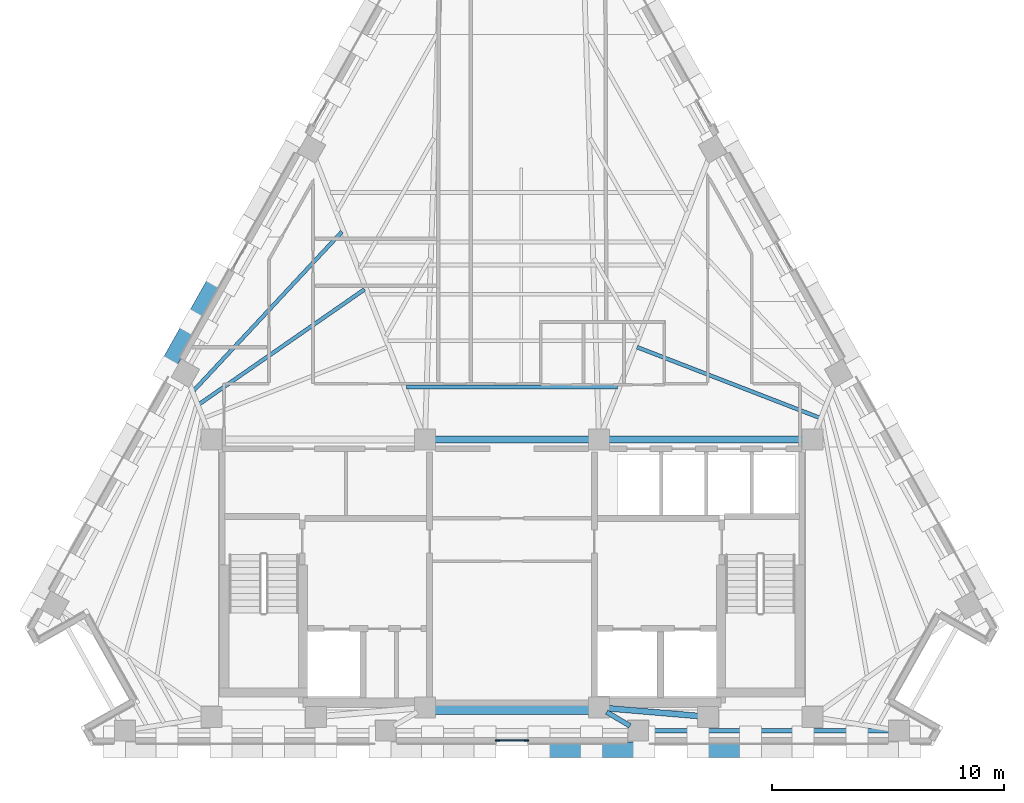
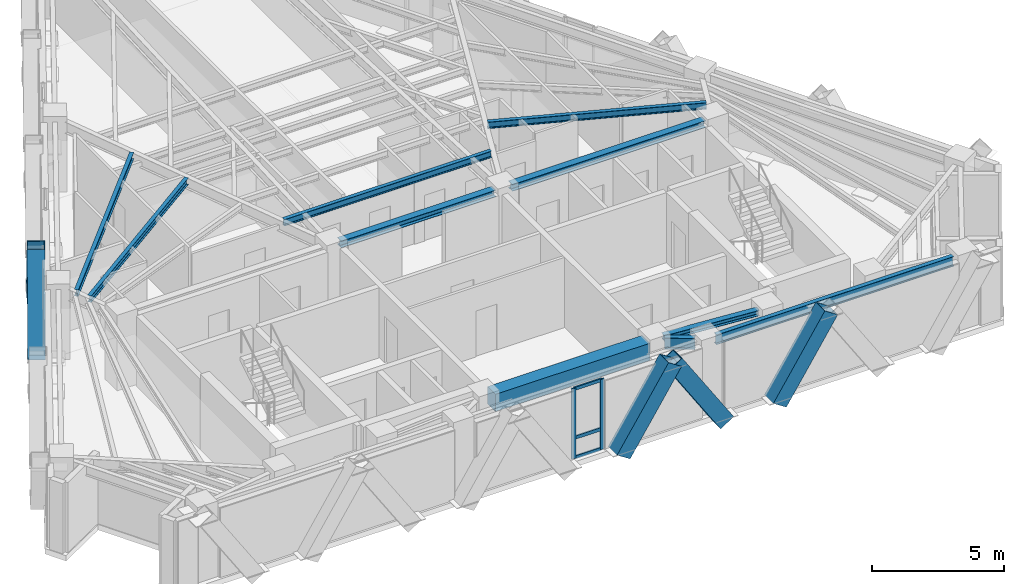
# One storey, part 2 of 12: 10 beams, 10 members, 1 element without a shape of its own.
"""IFC4 building model written with IfcOpenShell, lengths in metres."""

from ifc_helpers import new_model, si_unit, direction, frame, origin, origin_2d, place, context, subcontext, project, spatial, rectangle, hollow_rectangle, i_section, extrude, material, material_profile, profile_set, type_object, element, aggregate, save


model = new_model("IFC4")

# Units and contexts
model_context = context("Model", 3, precision=1e-05, world=origin(), true_north=direction((0.0, 1.0)))
body_context = subcontext(model_context, "Body", "Model", "MODEL_VIEW")
ifc_project = project(units=[si_unit("LENGTHUNIT", "METRE"), si_unit("AREAUNIT", "SQUARE_METRE"), si_unit("VOLUMEUNIT", "CUBIC_METRE"), si_unit("PLANEANGLEUNIT", "RADIAN"), si_unit("MASSUNIT", "GRAM", prefix="KILO")], contexts=[model_context])

# Site, building, storey
site_placement = place(None, origin())
site = spatial("IfcSite", under=ifc_project, at=site_placement, CompositionType="ELEMENT")
building_placement = place(site_placement, origin())
building = spatial("IfcBuilding", under=site, at=building_placement, Name="Quenlor Broadcast Tower", CompositionType="ELEMENT")
storey_placement = place(building_placement, frame((0.0, 0.0, 218.39990234375)))
storey = spatial("IfcBuildingStorey", under=building, at=storey_placement, Name="L60", CompositionType="ELEMENT", Elevation=218.39990234375)

# Curtain wall, members
ifc_material_1 = material(Name="Architectural Terracotta and Low-E Glazing", Category="masonry")
curtain_wall_type = type_object("IfcCurtainWallType", Name="Unitised Terracotta Curtain Wall System Z4", PredefinedType="NOTDEFINED", material=ifc_material_1)
curtain_wall_placement = place(storey_placement, origin())
curtain_wall = element("IfcCurtainWall", 1, at=curtain_wall_placement, inside=storey, type_object=curtain_wall_type, Name="L60 Curtain Wall CW4 (L60-S-G1)", PredefinedType="NOTDEFINED")
ifc_material_2 = material(Name="Aluminium 6063-T6", Category="aluminium")
ifc_material_profile_1 = material_profile(ifc_material_2, rectangle(XDim=0.068115234375, YDim=0.179931640625, at=origin_2d()))
ifc_profile_set_1 = profile_set([ifc_material_profile_1], Name="Aluminium 6063-T6 MULL68x180")
member_type_1 = type_object("IfcMemberType", Name="CW4 Aluminium Mullion MULL_CW4", PredefinedType="MULLION", material=ifc_profile_set_1)
member_1_placement = place(storey_placement, frame((0.62841796875, -17.77490234375, 0.0), z_axis=(0.0, 0.0, 1.0), x_axis=(0.0, -1.0, 0.0)))
member_1 = element("IfcMember", 2, at=member_1_placement, type_object=member_type_1, Name="CW4 mullion 1", PredefinedType="MULLION", context=body_context, shape_type="SweptSolid", body=[
    extrude(rectangle(XDim=0.068115234375, YDim=0.179931640625, at=origin_2d()), origin(), (0.0, 0.0, 1.0), 3.25),
])
member_2_placement = place(storey_placement, frame((-0.62841796875, -17.77490234375, 0.0), z_axis=(0.0, 0.0, 1.0), x_axis=(0.0, -1.0, 0.0)))
member_2 = element("IfcMember", 3, at=member_2_placement, type_object=member_type_1, Name="CW4 mullion 2", PredefinedType="MULLION", context=body_context, shape_type="SweptSolid", body=[
    extrude(rectangle(XDim=0.068115234375, YDim=0.179931640625, at=origin_2d()), origin(), (0.0, 0.0, 1.0), 3.25),
])
ifc_material_3 = material(Name="Aluminium 6063-T6", Category="aluminium")
ifc_material_profile_2 = material_profile(ifc_material_3, rectangle(XDim=0.068115234375, YDim=0.14990234375, at=origin_2d()))
ifc_profile_set_2 = profile_set([ifc_material_profile_2], Name="Aluminium 6063-T6 TRAN68x150")
member_type_2 = type_object("IfcMemberType", Name="CW4 Aluminium Transom TRAN_CW4", PredefinedType="USERDEFINED", material=ifc_profile_set_2)
member_3_placement = place(storey_placement, frame((0.59423828125, -17.77490234375, 0.0341796875), z_axis=(-1.0, 0.0, 0.0), x_axis=(0.0, -1.0, 0.0)))
member_3 = element("IfcMember", 4, at=member_3_placement, type_object=member_type_2, Name="CW4 transom 1.1", ObjectType="TRANSOM", PredefinedType="USERDEFINED", context=body_context, shape_type="SweptSolid", body=[
    extrude(rectangle(XDim=0.068115234375, YDim=0.14990234375, at=origin_2d()), origin(), (0.0, 0.0, 1.0), 1.1884765625),
])
member_4_placement = place(storey_placement, frame((0.59423828125, -17.77490234375, 0.9501953125), z_axis=(-1.0, 0.0, 0.0), x_axis=(0.0, -1.0, 0.0)))
member_4 = element("IfcMember", 5, at=member_4_placement, type_object=member_type_2, Name="CW4 transom 1.2", ObjectType="TRANSOM", PredefinedType="USERDEFINED", context=body_context, shape_type="SweptSolid", body=[
    extrude(rectangle(XDim=0.068115234375, YDim=0.14990234375, at=origin_2d()), origin(), (0.0, 0.0, 1.0), 1.1884765625),
])
member_5_placement = place(storey_placement, frame((0.59423828125, -17.77490234375, 3.216064453125), z_axis=(-1.0, 0.0, 0.0), x_axis=(0.0, -1.0, 0.0)))
member_5 = element("IfcMember", 6, at=member_5_placement, type_object=member_type_2, Name="CW4 transom 1.3", ObjectType="TRANSOM", PredefinedType="USERDEFINED", context=body_context, shape_type="SweptSolid", body=[
    extrude(rectangle(XDim=0.068115234375, YDim=0.14990234375, at=origin_2d()), origin(), (0.0, 0.0, 1.0), 1.1884765625),
])
aggregate(curtain_wall, [member_1, member_2, member_3, member_4, member_5])

# Beams
ifc_material_4 = material(Name="Concrete C50/60", Category="concrete")
ifc_material_profile_3 = material_profile(ifc_material_4, rectangle(XDim=0.60009765625, YDim=0.800048828125, at=origin_2d()))
ifc_profile_set_3 = profile_set([ifc_material_profile_3], Name="Concrete C50/60 RCB600x800")
beam_type_1 = type_object("IfcBeamType", Name="Core Coupling Beam Concrete C50/60 600x800", PredefinedType="BEAM", material=ifc_profile_set_3)
beam_1_placement = place(storey_placement, frame((-3.389892578125, -16.35009765625, 2.85009765625), z_axis=(1.0, 0.0, 0.0), x_axis=(0.0, 1.0, 0.0)))
element("IfcBeam", 7, at=beam_1_placement, inside=storey, type_object=beam_type_1, Name="L60 Core Coupling Beam 6", PredefinedType="BEAM", context=body_context, shape_type="SweptSolid", body=[
    extrude(rectangle(XDim=0.60009765625, YDim=0.800048828125, at=origin_2d()), origin(), (0.0, 0.0, 1.0), 6.77978515625),
])
ifc_material_5 = material(Name="Steel S355", Category="steel")
ifc_material_profile_4 = material_profile(ifc_material_5, i_section(OverallWidth=0.304931640625, OverallDepth=0.30810546875, WebThickness=0.010009765625, FlangeThickness=0.015380859375, FilletRadius=0.0166015625, at=origin_2d()))
ifc_profile_set_4 = profile_set([ifc_material_profile_4], Name="Steel S355 310UC96.8")
beam_type_2 = type_object("IfcBeamType", Name="Core Header Beam Steel S355 310UC96.8", PredefinedType="BEAM", material=ifc_profile_set_4)
beam_2_placement = place(storey_placement, frame((-3.389892578125, -4.800048828125, 3.09619140625), z_axis=(1.0, 0.0, 0.0), x_axis=(0.0, 1.0, 0.0)))
element("IfcBeam", 8, at=beam_2_placement, inside=storey, type_object=beam_type_2, Name="L60 Core Header Beam 2", PredefinedType="BEAM", context=body_context, shape_type="SweptSolid", body=[
    extrude(i_section(OverallWidth=0.304931640625, OverallDepth=0.30810546875, WebThickness=0.010009765625, FlangeThickness=0.015380859375, FilletRadius=0.0166015625, at=origin_2d()), origin(), (0.0, 0.0, 1.0), 6.77978515625),
])
ifc_material_6 = material(Name="Steel S355", Category="steel")
ifc_material_profile_5 = material_profile(ifc_material_6, i_section(OverallWidth=0.25390625, OverallDepth=0.25390625, WebThickness=0.008544921875, FlangeThickness=0.01416015625, FilletRadius=0.013916015625, at=origin_2d()))
ifc_profile_set_5 = profile_set([ifc_material_profile_5], Name="Steel S355 250UC72.9")
beam_type_3 = type_object("IfcBeamType", Name="Core Opening Lintel Beam Steel S355 250UC72.9", PredefinedType="LINTEL", material=ifc_profile_set_5)
beam_3_placement = place(storey_placement, frame((4.108642578125, -16.380615234375, 3.123291015625), z_axis=(0.996399763903, -0.084779186679, 0.0), x_axis=(0.084779186679, 0.996399763903, 0.0)))
element("IfcBeam", 9, at=beam_3_placement, inside=storey, type_object=beam_type_3, Name="L60 Core Opening Lintel Beam 5", PredefinedType="LINTEL", context=body_context, shape_type="SweptSolid", body=[
    extrude(i_section(OverallWidth=0.25390625, OverallDepth=0.25390625, WebThickness=0.008544921875, FlangeThickness=0.01416015625, FilletRadius=0.013916015625, at=origin_2d()), origin(), (0.0, 0.0, 1.0), 3.9970703125),
])
ifc_material_7 = material(Name="Steel S355", Category="steel")
ifc_material_profile_6 = material_profile(ifc_material_7, i_section(OverallWidth=0.306884765625, OverallDepth=0.314697265625, WebThickness=0.011962890625, FlangeThickness=0.018798828125, FilletRadius=0.0166015625, at=origin_2d()))
ifc_profile_set_6 = profile_set([ifc_material_profile_6], Name="Steel S355 310UC118")
beam_type_4 = type_object("IfcBeamType", Name="Core Tie Beam Steel S355 310UC118", PredefinedType="BEAM", material=ifc_profile_set_6)
beam_4_placement = place(storey_placement, frame((4.110107421875, -4.800048828125, 3.0927734375), z_axis=(1.0, 0.0, 0.0), x_axis=(0.0, 1.0, 0.0)))
element("IfcBeam", 10, at=beam_4_placement, inside=storey, type_object=beam_type_4, Name="L60 Core Tie Beam 3", PredefinedType="BEAM", context=body_context, shape_type="SweptSolid", body=[
    extrude(i_section(OverallWidth=0.306884765625, OverallDepth=0.314697265625, WebThickness=0.011962890625, FlangeThickness=0.018798828125, FilletRadius=0.0166015625, at=origin_2d()), origin(), (0.0, 0.0, 1.0), 8.47998046875),
])

# Members
ifc_material_8 = material(Name="Steel S355", Category="steel")
ifc_material_profile_7 = material_profile(ifc_material_8, hollow_rectangle(XDim=0.679931640625, YDim=0.679931640625, WallThickness=0.02490234375, at=origin_2d()))
ifc_profile_set_7 = profile_set([ifc_material_profile_7], Name="Steel S355 RHS680x680x25")
member_type_3 = type_object("IfcMemberType", Name="Perimeter Diagonal Lattice Brace Z3-Z4 Steel S355 RHS680x25", PredefinedType="BRACE", material=ifc_profile_set_7)
for number, where, z_axis, x_axis, name in (
    (11, (5.695068359375, -18.169921875, -0.119873046875), (-0.541794306908, 0.0, 0.840511111766), (0.0, -1.0, 0.0), "L60 Perimeter Diamond Lattice S-C2S"),
    (12, (8.005859375, -18.169921875, -0.119873046875), (0.541794306908, 0.0, 0.840511111766), (0.0, 1.0, 0.0), "L60 Perimeter Diamond Lattice S-C2B"),
    (13, (1.155517578125, -18.169921875, -0.119873046875), (0.541794306908, 0.0, 0.840511111766), (0.0, 1.0, 0.0), "L60 Perimeter Diamond Lattice S-C3B"),
):
    element("IfcMember", number, at=place(storey_placement, frame(where, z_axis=z_axis, x_axis=x_axis)), inside=storey, type_object=member_type_3, Name=name, PredefinedType="BRACE", context=body_context, shape_type="SweptSolid", body=[
        extrude(hollow_rectangle(XDim=0.679931640625, YDim=0.679931640625, WallThickness=0.02490234375, at=origin_2d()), origin(), (0.0, 0.0, 1.0), 4.1640625),
    ])
for number, where, z_axis, x_axis, name in (
    (14, (-14.923828125, -1.78466796875, -0.119873046875), (0.269485495908, 0.479188912076, 0.835317636614), (-0.871620820774, 0.490180726664, 0.0), "L60 Perimeter Diamond Lattice NW-C2S"),
    (15, (-12.651611328125, 2.255126953125, -0.119873046875), (-0.269547055694, -0.479136497832, 0.835327840559), (0.871550060774, -0.49030652817, 0.0), "L60 Perimeter Diamond Lattice NW-C3B"),
):
    element("IfcMember", number, at=place(storey_placement, frame(where, z_axis=z_axis, x_axis=x_axis)), inside=storey, type_object=member_type_3, Name=name, PredefinedType="BRACE", context=body_context, shape_type="SweptSolid", body=[
        extrude(hollow_rectangle(XDim=0.679931640625, YDim=0.679931640625, WallThickness=0.02490234375, at=origin_2d()), origin(), (0.0, 0.0, 1.0), 4.18994140625),
    ])

# Beams
ifc_material_9 = material(Name="Steel S355", Category="steel")
ifc_material_profile_8 = material_profile(ifc_material_9, i_section(OverallWidth=0.18994140625, OverallDepth=0.453857421875, WebThickness=0.008544921875, FlangeThickness=0.0126953125, FilletRadius=0.011474609375, at=origin_2d()))
ifc_profile_set_8 = profile_set([ifc_material_profile_8], Name="Steel S355 460UB67.1")
beam_type_5 = type_object("IfcBeamType", Name="Perimeter Spandrel Beam Z4 Steel S355 460UB67.1", PredefinedType="SPANDREL", material=ifc_profile_set_8)
beam_5_placement = place(storey_placement, frame((5.847900390625, -17.35009765625, 3.023193359375), z_axis=(1.0, 0.0, 0.0), x_axis=(0.0, 1.0, 0.0)))
element("IfcBeam", 16, at=beam_5_placement, inside=storey, type_object=beam_type_5, Name="L60 Spandrel Beam S3-S4", PredefinedType="SPANDREL", context=body_context, shape_type="SweptSolid", body=[
    extrude(i_section(OverallWidth=0.18994140625, OverallDepth=0.453857421875, WebThickness=0.008544921875, FlangeThickness=0.0126953125, FilletRadius=0.011474609375, at=origin_2d()), origin(), (0.0, 0.0, 1.0), 10.41796875),
])
ifc_material_10 = material(Name="Steel S355", Category="steel")
ifc_material_profile_9 = material_profile(ifc_material_10, i_section(OverallWidth=0.166015625, OverallDepth=0.30712890625, WebThickness=0.006591796875, FlangeThickness=0.01171875, FilletRadius=0.011474609375, at=origin_2d()))
ifc_profile_set_9 = profile_set([ifc_material_profile_9], Name="Steel S355 310UB46.2")
beam_type_6 = type_object("IfcBeamType", Name="Tower Composite Joist Z4-Z5 Steel S355 310UB46.2", PredefinedType="JOIST", material=ifc_profile_set_9)
beam_6_placement = place(storey_placement, frame((-4.550048828125, -2.54736328125, 3.096435546875), z_axis=(1.0, 0.0, 0.0), x_axis=(0.0, 1.0, 0.0)))
element("IfcBeam", 17, at=beam_6_placement, inside=storey, type_object=beam_type_6, Name="L60 Secondary Composite Joist 1", PredefinedType="JOIST", context=body_context, shape_type="SweptSolid", body=[
    extrude(i_section(OverallWidth=0.166015625, OverallDepth=0.30712890625, WebThickness=0.006591796875, FlangeThickness=0.01171875, FilletRadius=0.011474609375, at=origin_2d()), origin(), (0.0, 0.0, 1.0), 9.10009765625),
])
beam_7_placement = place(storey_placement, frame((-13.470458984375, -3.273681640625, 3.096435546875), z_axis=(0.821539857981, 0.570151086773, 0.0), x_axis=(-0.570151086773, 0.821539857981, 0.0)))
element("IfcBeam", 18, at=beam_7_placement, inside=storey, type_object=beam_type_6, Name="L60 Secondary Composite Joist 8", PredefinedType="JOIST", context=body_context, shape_type="SweptSolid", body=[
    extrude(i_section(OverallWidth=0.166015625, OverallDepth=0.30712890625, WebThickness=0.006591796875, FlangeThickness=0.01171875, FilletRadius=0.011474609375, at=origin_2d()), origin(), (0.0, 0.0, 1.0), 8.656982421875),
])
beam_8_placement = place(storey_placement, frame((-13.707275390625, -2.691162109375, 3.096435546875), z_axis=(0.682034672805, 0.731319837754, 0.0), x_axis=(-0.731319837754, 0.682034672805, 0.0)))
element("IfcBeam", 19, at=beam_8_placement, inside=storey, type_object=beam_type_6, Name="L60 Secondary Composite Joist 9", PredefinedType="JOIST", context=body_context, shape_type="SweptSolid", body=[
    extrude(i_section(OverallWidth=0.166015625, OverallDepth=0.30712890625, WebThickness=0.006591796875, FlangeThickness=0.01171875, FilletRadius=0.011474609375, at=origin_2d()), origin(), (0.0, 0.0, 1.0), 9.357421875),
])
beam_9_placement = place(storey_placement, frame((13.236083984375, -3.85986328125, 3.096435546875), z_axis=(-0.932639299023, 0.360810113381, 0.0), x_axis=(-0.360810113381, -0.932639299023, 0.0)))
element("IfcBeam", 20, at=beam_9_placement, inside=storey, type_object=beam_type_6, Name="L60 Secondary Composite Joist 10", PredefinedType="JOIST", context=body_context, shape_type="SweptSolid", body=[
    extrude(i_section(OverallWidth=0.166015625, OverallDepth=0.30712890625, WebThickness=0.006591796875, FlangeThickness=0.01171875, FilletRadius=0.011474609375, at=origin_2d()), origin(), (0.0, 0.0, 1.0), 8.413330078125),
])
ifc_material_11 = material(Name="Steel S355", Category="steel")
ifc_material_profile_10 = material_profile(ifc_material_11, i_section(OverallWidth=0.208984375, OverallDepth=0.5283203125, WebThickness=0.009521484375, FlangeThickness=0.01318359375, FilletRadius=0.013916015625, at=origin_2d()))
ifc_profile_set_10 = profile_set([ifc_material_profile_10], Name="Steel S355 530UB82.0")
beam_type_7 = type_object("IfcBeamType", Name="Tower Primary Floor Beam Z4 Steel S355 530UB82.0", PredefinedType="BEAM", material=ifc_profile_set_10)
beam_10_placement = place(storey_placement, frame((5.085205078125, -17.14111328125, 2.986083984375), z_axis=(-0.86032875258, 0.509739578102, 0.0), x_axis=(-0.509739578102, -0.86032875258, 0.0)))
element("IfcBeam", 21, at=beam_10_placement, inside=storey, type_object=beam_type_7, Name="L60 Primary Radial Beam S3", PredefinedType="BEAM", context=body_context, shape_type="SweptSolid", body=[
    extrude(i_section(OverallWidth=0.208984375, OverallDepth=0.5283203125, WebThickness=0.009521484375, FlangeThickness=0.01318359375, FilletRadius=0.013916015625, at=origin_2d()), origin(), (0.0, 0.0, 1.0), 1.171875),
])

save(model, "model.ifc")
